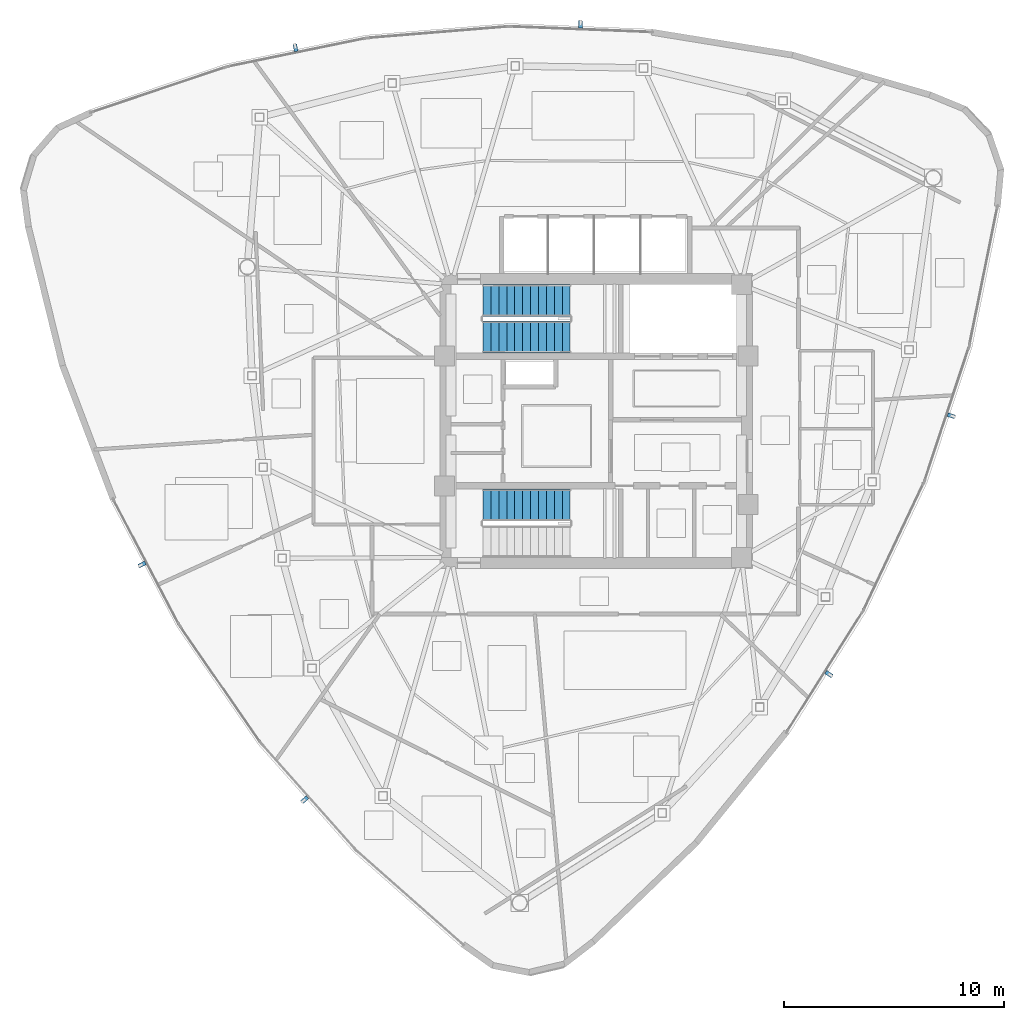
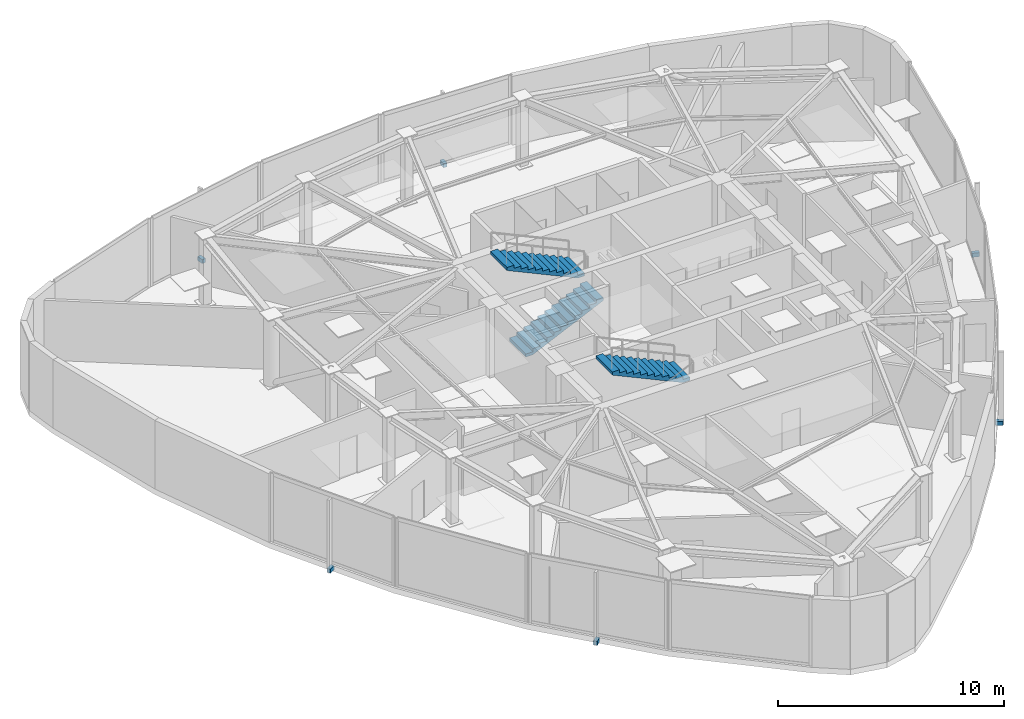
# One storey, part 10 of 13: 6 discrete accessories, 3 stair flights, 2 elements without a shape of their own.
"""IFC4 building model written with IfcOpenShell, lengths in metres."""

from ifc_helpers import new_model, si_unit, direction, frame, origin, origin_2d, place, context, subcontext, project, spatial, polyline, rectangle, outline, extrude, source, transform, mapped, material, type_object, type_shapes, element, aggregate, save


model = new_model("IFC4")

# Units and contexts
model_context = context("Model", 3, precision=1e-05, world=origin(), true_north=direction((0.0, 1.0)))
body_context = subcontext(model_context, "Body", "Model", "MODEL_VIEW")
ifc_project = project(units=[si_unit("LENGTHUNIT", "METRE"), si_unit("AREAUNIT", "SQUARE_METRE"), si_unit("VOLUMEUNIT", "CUBIC_METRE"), si_unit("PLANEANGLEUNIT", "RADIAN"), si_unit("MASSUNIT", "GRAM", prefix="KILO")], contexts=[model_context])

# Site, building, storey
site_placement = place(None, origin())
site = spatial("IfcSite", under=ifc_project, at=site_placement, CompositionType="ELEMENT")
building_placement = place(site_placement, origin())
building = spatial("IfcBuilding", under=site, at=building_placement, Name="Tavelor Broadcast Tower", CompositionType="ELEMENT")
storey_placement = place(building_placement, frame((0.0, 0.0, 301.5)))
storey = spatial("IfcBuildingStorey", under=building, at=storey_placement, Name="L72", CompositionType="ELEMENT", Elevation=301.5)

# Stair, stair flights
ifc_material_1 = material(Name="Concrete C40/50", Category="concrete")
stair_type = type_object("IfcStairType", Name="Reinforced Concrete Protected Dogleg Stair 1450 mm", PredefinedType="HALF_TURN_STAIR", material=ifc_material_1)
stair_1_placement = place(storey_placement, origin())
stair_1 = element("IfcStair", 1, at=stair_1_placement, inside=storey, type_object=stair_type, Name="L72 Protected Core Exit Stair ST1", PredefinedType="HALF_TURN_STAIR")
stair_flight_type = type_object("IfcStairFlightType", Name="Reinforced Concrete Stair Flight 1450 mm", PredefinedType="STRAIGHT", material=ifc_material_1)
stair_flight_1_placement = place(storey_placement, frame((44.85009765625, 48.824951171875, 0.0), z_axis=(0.0, 0.0, 1.0), x_axis=(1.0, 0.0, 0.0)))
stair_flight_1 = element("IfcStairFlight", 2, at=stair_flight_1_placement, type_object=stair_flight_type, Name="ST1 flight 1", NumberOfRisers=12, NumberOfTreads=11, PredefinedType="STRAIGHT", RiserHeight=0.166666667, TreadLength=0.36, context=body_context, shape_type="SweptSolid", body=[
    extrude(outline(polyline([(0.0, 0.0), (0.0, 0.166748046875), (0.360107421875, 0.166748046875), (0.360107421875, 0.333251953125), (0.719970703125, 0.333251953125), (0.719970703125, 0.5), (1.080078125, 0.5), (1.080078125, 0.666748046875), (1.43994140625, 0.666748046875), (1.43994140625, 0.833251953125), (1.800048828125, 0.833251953125), (1.800048828125, 1.0), (2.159912109375, 1.0), (2.159912109375, 1.166748046875), (2.52001953125, 1.166748046875), (2.52001953125, 1.333251953125), (2.8798828125, 1.333251953125), (2.8798828125, 1.5), (3.239990234375, 1.5), (3.239990234375, 1.666748046875), (3.60009765625, 1.666748046875), (3.60009765625, 1.833251953125), (3.9599609375, 1.833251953125), (3.9599609375, 2.0), (3.9599609375, 1.668212890625), (0.356689453125, 0.0), (0.0, 0.0)])), frame((0.0, 0.72509765625, 0.0), z_axis=(0.0, -1.0, 0.0), x_axis=(1.0, 0.0, 0.0)), (0.0, 0.0, 1.0), 1.449951171875),
])
stair_flight_2_placement = place(storey_placement, frame((48.81005859375, 50.47509765625, 2.0), z_axis=(0.0, 0.0, 1.0), x_axis=(-1.0, 0.0, 0.0)))
stair_flight_2 = element("IfcStairFlight", 3, at=stair_flight_2_placement, type_object=stair_flight_type, Name="ST1 flight 2", NumberOfRisers=12, NumberOfTreads=11, PredefinedType="STRAIGHT", RiserHeight=0.166666667, TreadLength=0.36, context=body_context, shape_type="SweptSolid", body=[
    extrude(outline(polyline([(0.0, 0.0), (0.0, 0.166748046875), (0.360107421875, 0.166748046875), (0.360107421875, 0.333251953125), (0.719970703125, 0.333251953125), (0.719970703125, 0.5), (1.080078125, 0.5), (1.080078125, 0.666748046875), (1.43994140625, 0.666748046875), (1.43994140625, 0.833251953125), (1.800048828125, 0.833251953125), (1.800048828125, 1.0), (2.159912109375, 1.0), (2.159912109375, 1.166748046875), (2.52001953125, 1.166748046875), (2.52001953125, 1.333251953125), (2.8798828125, 1.333251953125), (2.8798828125, 1.5), (3.239990234375, 1.5), (3.239990234375, 1.666748046875), (3.60009765625, 1.666748046875), (3.60009765625, 1.833251953125), (3.9599609375, 1.833251953125), (3.9599609375, 2.0), (3.9599609375, 1.668212890625), (0.356689453125, 0.0), (0.0, 0.0)])), frame((0.0, 0.72509765625, 0.0), z_axis=(0.0, -1.0, 0.0), x_axis=(1.0, 0.0, 0.0)), (0.0, 0.0, 1.0), 1.449951171875),
])
aggregate(stair_1, [stair_flight_1, stair_flight_2])

# Stair, stair flight
stair_2_placement = place(storey_placement, origin())
stair_2 = element("IfcStair", 4, at=stair_2_placement, inside=storey, type_object=stair_type, Name="L72 Protected Core Exit Stair ST2", PredefinedType="HALF_TURN_STAIR")
stair_flight_3_placement = place(storey_placement, frame((48.81005859375, 41.175048828125, 2.0), z_axis=(0.0, 0.0, 1.0), x_axis=(-1.0, 0.0, 0.0)))
stair_flight_3 = element("IfcStairFlight", 5, at=stair_flight_3_placement, type_object=stair_flight_type, Name="ST2 flight 2", NumberOfRisers=12, NumberOfTreads=11, PredefinedType="STRAIGHT", RiserHeight=0.166666667, TreadLength=0.36, context=body_context, shape_type="SweptSolid", body=[
    extrude(outline(polyline([(0.0, 0.0), (0.0, 0.166748046875), (0.360107421875, 0.166748046875), (0.360107421875, 0.333251953125), (0.719970703125, 0.333251953125), (0.719970703125, 0.5), (1.080078125, 0.5), (1.080078125, 0.666748046875), (1.43994140625, 0.666748046875), (1.43994140625, 0.833251953125), (1.800048828125, 0.833251953125), (1.800048828125, 1.0), (2.159912109375, 1.0), (2.159912109375, 1.166748046875), (2.52001953125, 1.166748046875), (2.52001953125, 1.333251953125), (2.8798828125, 1.333251953125), (2.8798828125, 1.5), (3.239990234375, 1.5), (3.239990234375, 1.666748046875), (3.60009765625, 1.666748046875), (3.60009765625, 1.833251953125), (3.9599609375, 1.833251953125), (3.9599609375, 2.0), (3.9599609375, 1.668212890625), (0.356689453125, 0.0), (0.0, 0.0)])), frame((0.0, 0.72509765625, 0.0), z_axis=(0.0, -1.0, 0.0), x_axis=(1.0, 0.0, 0.0)), (0.0, 0.0, 1.0), 1.449951171875),
])
aggregate(stair_2, [stair_flight_3])

# Discrete accessories
ifc_material_2 = material(Name="Steel S355", Category="steel")
discrete_accessory_type = type_object("IfcDiscreteAccessoryType", Name="Stainless Baguette Outrigger Support Bracket 260x180", PredefinedType="BRACKET", material=ifc_material_2)
shared_shape = source(origin(), body_context, "Body", "SweptSolid", [
    extrude(rectangle(XDim=0.179931640625, YDim=0.340087890625, at=origin_2d()), origin(), (0.0, 0.0, 1.0), 0.216064453125),
])
type_shapes(discrete_accessory_type, [shared_shape])
for number, where, z_axis, x_axis, name in (
    (6, (29.346435546875, 38.478515625, -0.2578125), (0.0, 0.0, 1.0), (0.465151078077, -0.885231311332, 0.0), "L72 Baguette Outrigger Bracket 703"),
    (7, (36.7421875, 27.78759765625, -0.2578125), (0.0, 0.0, 1.0), (0.664317667789, -0.747450357056, 0.0), "L72 Baguette Outrigger Bracket 704"),
    (8, (60.57470703125, 33.491943359375, -0.2578125), (0.0, 0.0, 1.0), (0.534057264801, 0.845448305879, 0.0), "L72 Baguette Outrigger Bracket 705"),
    (9, (66.13525390625, 45.242431640625, -0.2578125), (0.0, 0.0, 1.0), (0.315152163383, 0.949041155016, 0.0), "L72 Baguette Outrigger Bracket 706"),
    (10, (49.279052734375, 63.029541015625, -0.2578125), (0.0, 0.0, 1.0), (-0.999208342878, 0.039783005453, 0.0), "L72 Baguette Outrigger Bracket 707"),
    (11, (36.322509765625, 61.97021484375, -0.2578125), (0.0, 0.0, 1.0), (-0.979469831173, -0.20159079796, 0.0), "L72 Baguette Outrigger Bracket 708"),
):
    element("IfcDiscreteAccessory", number, at=place(storey_placement, frame(where, z_axis=z_axis, x_axis=x_axis)), inside=storey, type_object=discrete_accessory_type, Name=name, PredefinedType="BRACKET", context=body_context, shape_type="MappedRepresentation", body=[
        mapped(shared_shape, transform((0.0, 0.0, 0.0), scale=1.0)),
    ])

save(model, "model.ifc")
